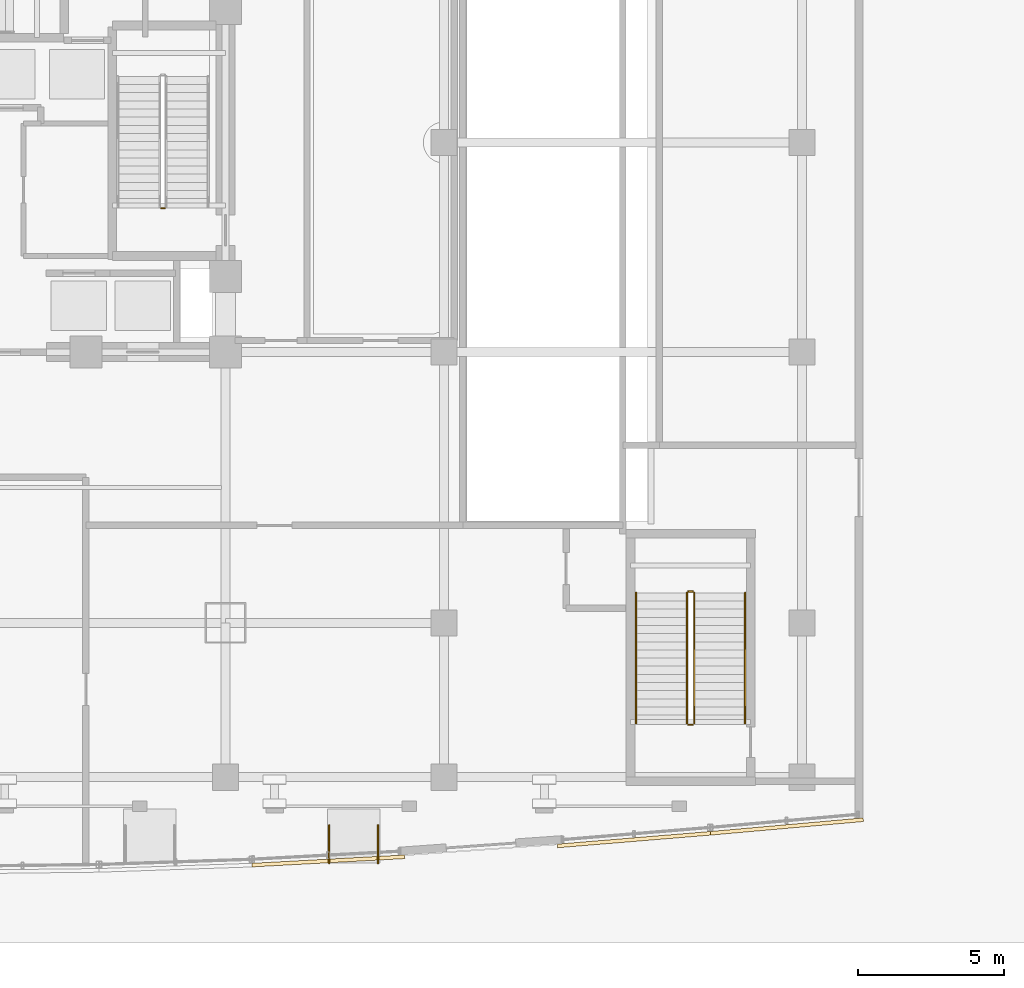
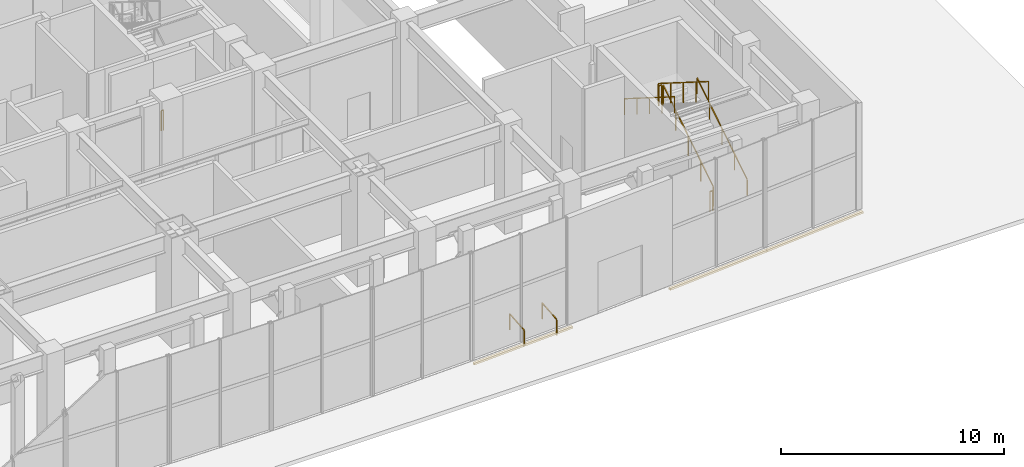
# One storey, part 19 of 23: 9 railings, 3 coverings.
"""IFC4 building model written with IfcOpenShell, lengths in metres."""

from ifc_helpers import new_model, si_unit, direction, frame, origin, origin_2d, place, context, subcontext, project, spatial, polyline, rectangle, outline, extrude, material, layer, layer_set, type_object, element, save


model = new_model("IFC4")

# Units and contexts
model_context = context("Model", 3, precision=1e-05, world=origin(), true_north=direction((0.0, 1.0)))
body_context = subcontext(model_context, "Body", "Model", "MODEL_VIEW")
ifc_project = project(units=[si_unit("LENGTHUNIT", "METRE"), si_unit("AREAUNIT", "SQUARE_METRE"), si_unit("VOLUMEUNIT", "CUBIC_METRE"), si_unit("PLANEANGLEUNIT", "RADIAN"), si_unit("MASSUNIT", "GRAM", prefix="KILO")], contexts=[model_context])

# Site, building, storey
site_placement = place(None, origin())
site = spatial("IfcSite", under=ifc_project, at=site_placement, CompositionType="ELEMENT")
building_placement = place(site_placement, origin())
building = spatial("IfcBuilding", under=site, at=building_placement, Name="Vantalir Tower", CompositionType="ELEMENT")
storey_placement = place(building_placement, origin())
storey = spatial("IfcBuildingStorey", under=building, at=storey_placement, Name="L00", CompositionType="ELEMENT", Elevation=0.0)

# Coverings
ifc_material_1 = material(Name="Anodised champagne aluminium sill fascia", Category="aluminium")
ifc_layer = layer(ifc_material_1, 0.125)
ifc_layer_set = layer_set([ifc_layer], Name="Anodised champagne aluminium sill fascia")
covering_type = type_object("IfcCoveringType", Name="COV-SLAB-FASCIA-125", PredefinedType="CLADDING", material=ifc_layer_set)
covering_1_placement = place(storey_placement, frame((0.0, 0.0, -0.179931640625)))
element("IfcCovering", 1, at=covering_1_placement, inside=storey, type_object=covering_type, Name="L00 South Prow Slab-Edge Fascia 09", PredefinedType="CLADDING", context=body_context, shape_type="SweptSolid", body=[
    extrude(outline(polyline([(42.0, 0.240966796875), (42.007080078125, 0.115966796875), (47.257080078125, 0.402099609375), (47.25, 0.527099609375), (42.0, 0.240966796875)])), origin(), (0.0, 0.0, 1.0), 0.10498046875),
])
covering_2_placement = place(storey_placement, frame((0.0, 0.0, -0.179931640625)))
element("IfcCovering", 2, at=covering_2_placement, inside=storey, type_object=covering_type, Name="L00 South Prow Slab-Edge Fascia 11", PredefinedType="CLADDING", context=body_context, shape_type="SweptSolid", body=[
    extrude(outline(polyline([(52.5, 0.89990234375), (52.510009765625, 0.77490234375), (57.760009765625, 1.208984375), (57.75, 1.333984375), (52.5, 0.89990234375)])), origin(), (0.0, 0.0, 1.0), 0.10498046875),
])
covering_3_placement = place(storey_placement, frame((0.0, 0.0, -0.179931640625)))
element("IfcCovering", 3, at=covering_3_placement, inside=storey, type_object=covering_type, Name="L00 South Prow Slab-Edge Fascia 12", PredefinedType="CLADDING", context=body_context, shape_type="SweptSolid", body=[
    extrude(outline(polyline([(57.75, 1.333984375), (57.760986328125, 1.208984375), (63.010986328125, 1.675048828125), (63.0, 1.800048828125), (57.75, 1.333984375)])), origin(), (0.0, 0.0, 1.0), 0.10498046875),
])

# Railings
ifc_material_2 = material(Name="Anodised aluminium and stainless steel guard", Category="steel")
railing_type_1 = type_object("IfcRailingType", Name="RAL-GUARD-1120", PredefinedType="GUARDRAIL", material=ifc_material_2)
railing_1_placement = place(storey_placement, frame((39.010009765625, 22.739990234375, 0.0)))
element("IfcRailing", 4, at=railing_1_placement, inside=storey, type_object=railing_type_1, Name="L00 ST2 stair guard 4", PredefinedType="GUARDRAIL", context=body_context, shape_type="SweptSolid", body=[
    extrude(rectangle(XDim=0.048095703125, YDim=0.048095703125, at=origin_2d()), frame((0.0, 0.0, 1.09619140625), z_axis=(-1.0, 0.0, 0.0), x_axis=(0.0, -1.0, 0.0)), (0.0, 0.0, 1.0), 0.1201171875),
    extrude(rectangle(XDim=0.0419921875, YDim=0.0419921875, at=origin_2d()), origin(), (0.0, 0.0, 1.0), 1.072021484375),
    extrude(rectangle(XDim=0.0419921875, YDim=0.0419921875, at=origin_2d()), frame((-0.1201171875, 0.0, 0.0)), (0.0, 0.0, 1.0), 1.072021484375),
])
railing_2_placement = place(storey_placement, frame((57.199951171875, 5.050048828125, 0.176513671875)))
element("IfcRailing", 5, at=railing_2_placement, inside=storey, type_object=railing_type_1, Name="L00 PST4 stair guard 1", PredefinedType="GUARDRAIL", context=body_context, shape_type="SweptSolid", body=[
    extrude(rectangle(XDim=0.048095703125, YDim=0.048095703125, at=origin_2d()), frame((0.0, 0.0, 1.09619140625), z_axis=(0.0, 0.845997938375, 0.533186166611), x_axis=(-1.0, 0.0, 0.0)), (0.0, 0.0, 1.0), 5.29541015625),
    extrude(rectangle(XDim=0.0419921875, YDim=0.0419921875, at=origin_2d()), origin(), (0.0, 0.0, 1.0), 1.072021484375),
    extrude(rectangle(XDim=0.0419921875, YDim=0.0419921875, at=origin_2d()), frame((0.0, 1.1201171875, 0.705810546875)), (0.0, 0.0, 1.0), 1.072021484375),
    extrude(rectangle(XDim=0.0419921875, YDim=0.0419921875, at=origin_2d()), frame((0.0, 2.239990234375, 1.41162109375)), (0.0, 0.0, 1.0), 1.072021484375),
    extrude(rectangle(XDim=0.0419921875, YDim=0.0419921875, at=origin_2d()), frame((0.0, 3.35986328125, 2.11767578125)), (0.0, 0.0, 1.0), 1.072021484375),
    extrude(rectangle(XDim=0.0419921875, YDim=0.0419921875, at=origin_2d()), frame((0.0, 4.47998046875, 2.823486328125)), (0.0, 0.0, 1.0), 1.072021484375),
])
railing_3_placement = place(storey_placement, frame((57.14990234375, 9.580078125, 3.0)))
element("IfcRailing", 6, at=railing_3_placement, inside=storey, type_object=railing_type_1, Name="L00 PST4 stair guard 2", PredefinedType="GUARDRAIL", context=body_context, shape_type="SweptSolid", body=[
    extrude(rectangle(XDim=0.048095703125, YDim=0.048095703125, at=origin_2d()), frame((0.0, 0.0, 1.09619140625), z_axis=(-1.0, 0.0, 0.0), x_axis=(0.0, -1.0, 0.0)), (0.0, 0.0, 1.0), 0.14990234375),
    extrude(rectangle(XDim=0.0419921875, YDim=0.0419921875, at=origin_2d()), origin(), (0.0, 0.0, 1.0), 1.072021484375),
    extrude(rectangle(XDim=0.0419921875, YDim=0.0419921875, at=origin_2d()), frame((-0.14990234375, 0.0, 0.0)), (0.0, 0.0, 1.0), 1.072021484375),
])
railing_4_placement = place(storey_placement, frame((56.949951171875, 9.530029296875, 3.176513671875)))
element("IfcRailing", 7, at=railing_4_placement, inside=storey, type_object=railing_type_1, Name="L00 PST4 stair guard 3", PredefinedType="GUARDRAIL", context=body_context, shape_type="SweptSolid", body=[
    extrude(rectangle(XDim=0.048095703125, YDim=0.048095703125, at=origin_2d()), frame((0.0, 0.0, 1.09619140625), z_axis=(0.0, -0.845997938375, 0.533186166611), x_axis=(1.0, 0.0, 0.0)), (0.0, 0.0, 1.0), 5.29541015625),
    extrude(rectangle(XDim=0.0419921875, YDim=0.0419921875, at=origin_2d()), origin(), (0.0, 0.0, 1.0), 1.072021484375),
    extrude(rectangle(XDim=0.0419921875, YDim=0.0419921875, at=origin_2d()), frame((0.0, -1.1201171875, 0.705810546875)), (0.0, 0.0, 1.0), 1.072021484375),
    extrude(rectangle(XDim=0.0419921875, YDim=0.0419921875, at=origin_2d()), frame((0.0, -2.239990234375, 1.41162109375)), (0.0, 0.0, 1.0), 1.072021484375),
    extrude(rectangle(XDim=0.0419921875, YDim=0.0419921875, at=origin_2d()), frame((0.0, -3.35986328125, 2.11767578125)), (0.0, 0.0, 1.0), 1.072021484375),
    extrude(rectangle(XDim=0.0419921875, YDim=0.0419921875, at=origin_2d()), frame((0.0, -4.47998046875, 2.823486328125)), (0.0, 0.0, 1.0), 1.072021484375),
])
railing_5_placement = place(storey_placement, frame((57.14990234375, 5.0, 0.0)))
element("IfcRailing", 8, at=railing_5_placement, inside=storey, type_object=railing_type_1, Name="L00 PST4 stair guard 4", PredefinedType="GUARDRAIL", context=body_context, shape_type="SweptSolid", body=[
    extrude(rectangle(XDim=0.048095703125, YDim=0.048095703125, at=origin_2d()), frame((0.0, 0.0, 1.09619140625), z_axis=(-1.0, 0.0, 0.0), x_axis=(0.0, -1.0, 0.0)), (0.0, 0.0, 1.0), 0.14990234375),
    extrude(rectangle(XDim=0.0419921875, YDim=0.0419921875, at=origin_2d()), origin(), (0.0, 0.0, 1.0), 1.072021484375),
    extrude(rectangle(XDim=0.0419921875, YDim=0.0419921875, at=origin_2d()), frame((-0.14990234375, 0.0, 0.0)), (0.0, 0.0, 1.0), 1.072021484375),
])
ifc_material_3 = material(Name="Brushed stainless steel tubular handrail", Category="steel")
railing_type_2 = type_object("IfcRailingType", Name="RAL-HANDRAIL-900", PredefinedType="HANDRAIL", material=ifc_material_3)
railing_6_placement = place(storey_placement, frame((58.949951171875, 5.050048828125, 0.176513671875)))
element("IfcRailing", 9, at=railing_6_placement, inside=storey, type_object=railing_type_2, Name="L00 PST4 stair handrail 1", PredefinedType="HANDRAIL", context=body_context, shape_type="SweptSolid", body=[
    extrude(rectangle(XDim=0.048095703125, YDim=0.048095703125, at=origin_2d()), frame((0.0, 0.0, 0.8759765625), z_axis=(0.0, 0.845997938375, 0.533186166611), x_axis=(-1.0, 0.0, 0.0)), (0.0, 0.0, 1.0), 5.29541015625),
    extrude(rectangle(XDim=0.0419921875, YDim=0.0419921875, at=origin_2d()), origin(), (0.0, 0.0, 1.0), 0.851806640625),
    extrude(rectangle(XDim=0.0419921875, YDim=0.0419921875, at=origin_2d()), frame((0.0, 1.1201171875, 0.705810546875)), (0.0, 0.0, 1.0), 0.851806640625),
    extrude(rectangle(XDim=0.0419921875, YDim=0.0419921875, at=origin_2d()), frame((0.0, 2.239990234375, 1.41162109375)), (0.0, 0.0, 1.0), 0.851806640625),
    extrude(rectangle(XDim=0.0419921875, YDim=0.0419921875, at=origin_2d()), frame((0.0, 3.35986328125, 2.11767578125)), (0.0, 0.0, 1.0), 0.851806640625),
    extrude(rectangle(XDim=0.0419921875, YDim=0.0419921875, at=origin_2d()), frame((0.0, 4.47998046875, 2.823486328125)), (0.0, 0.0, 1.0), 0.851806640625),
])
railing_7_placement = place(storey_placement, frame((55.199951171875, 9.530029296875, 3.176513671875)))
element("IfcRailing", 10, at=railing_7_placement, inside=storey, type_object=railing_type_2, Name="L00 PST4 stair handrail 2", PredefinedType="HANDRAIL", context=body_context, shape_type="SweptSolid", body=[
    extrude(rectangle(XDim=0.048095703125, YDim=0.048095703125, at=origin_2d()), frame((0.0, 0.0, 0.8759765625), z_axis=(0.0, -0.845997938375, 0.533186166611), x_axis=(1.0, 0.0, 0.0)), (0.0, 0.0, 1.0), 5.29541015625),
    extrude(rectangle(XDim=0.0419921875, YDim=0.0419921875, at=origin_2d()), origin(), (0.0, 0.0, 1.0), 0.851806640625),
    extrude(rectangle(XDim=0.0419921875, YDim=0.0419921875, at=origin_2d()), frame((0.0, -1.1201171875, 0.705810546875)), (0.0, 0.0, 1.0), 0.851806640625),
    extrude(rectangle(XDim=0.0419921875, YDim=0.0419921875, at=origin_2d()), frame((0.0, -2.239990234375, 1.41162109375)), (0.0, 0.0, 1.0), 0.851806640625),
    extrude(rectangle(XDim=0.0419921875, YDim=0.0419921875, at=origin_2d()), frame((0.0, -3.35986328125, 2.11767578125)), (0.0, 0.0, 1.0), 0.851806640625),
    extrude(rectangle(XDim=0.0419921875, YDim=0.0419921875, at=origin_2d()), frame((0.0, -4.47998046875, 2.823486328125)), (0.0, 0.0, 1.0), 0.851806640625),
])
for number, where, name in (
    (11, (44.659912109375, 0.2509765625, -0.14990234375), "Accessible Ramp 5 Handrail W"),
    (12, (46.340087890625, 0.2509765625, -0.14990234375), "Accessible Ramp 5 Handrail E"),
):
    element("IfcRailing", number, at=place(storey_placement, frame(where)), inside=storey, type_object=railing_type_2, Name=name, PredefinedType="HANDRAIL", context=body_context, shape_type="SweptSolid", body=[
        extrude(rectangle(XDim=0.048095703125, YDim=0.048095703125, at=origin_2d()), frame((0.0, 0.0, 0.8759765625), z_axis=(0.0, 0.996442978408, 0.0842697501), x_axis=(-1.0, 0.0, 0.0)), (0.0, 0.0, 1.0), 1.3037109375),
        extrude(rectangle(XDim=0.0419921875, YDim=0.0419921875, at=origin_2d()), origin(), (0.0, 0.0, 1.0), 0.851806640625),
        extrude(rectangle(XDim=0.0419921875, YDim=0.0419921875, at=origin_2d()), frame((0.0, 1.299072265625, 0.10986328125)), (0.0, 0.0, 1.0), 0.851806640625),
    ])

save(model, "model.ifc")
